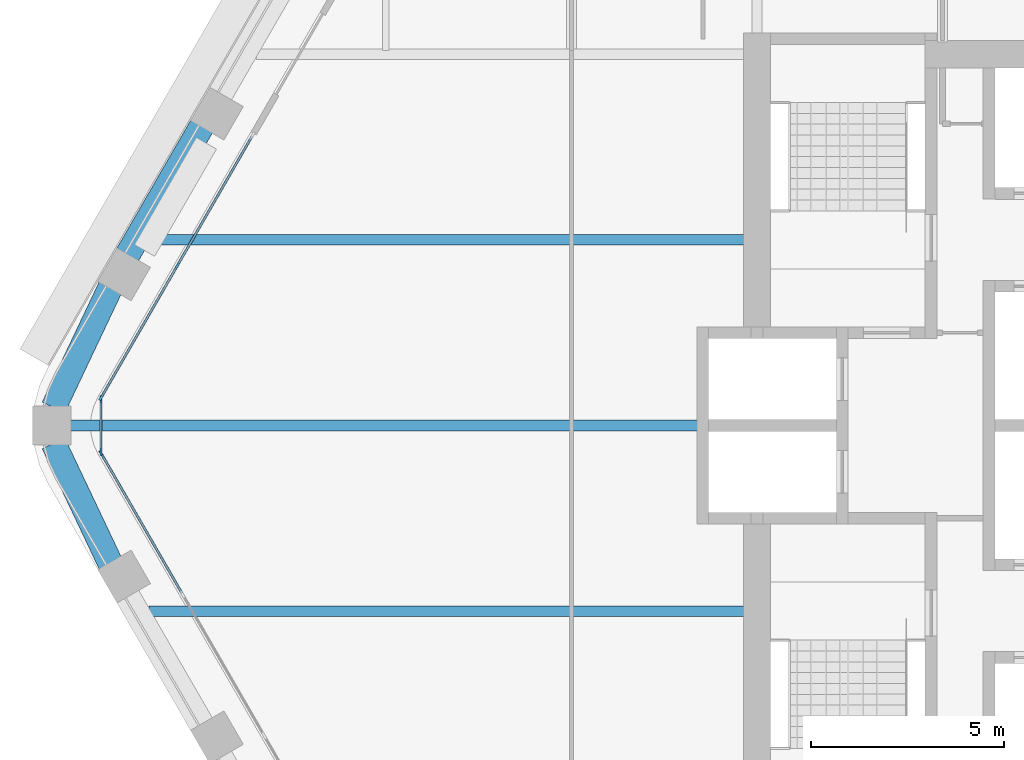
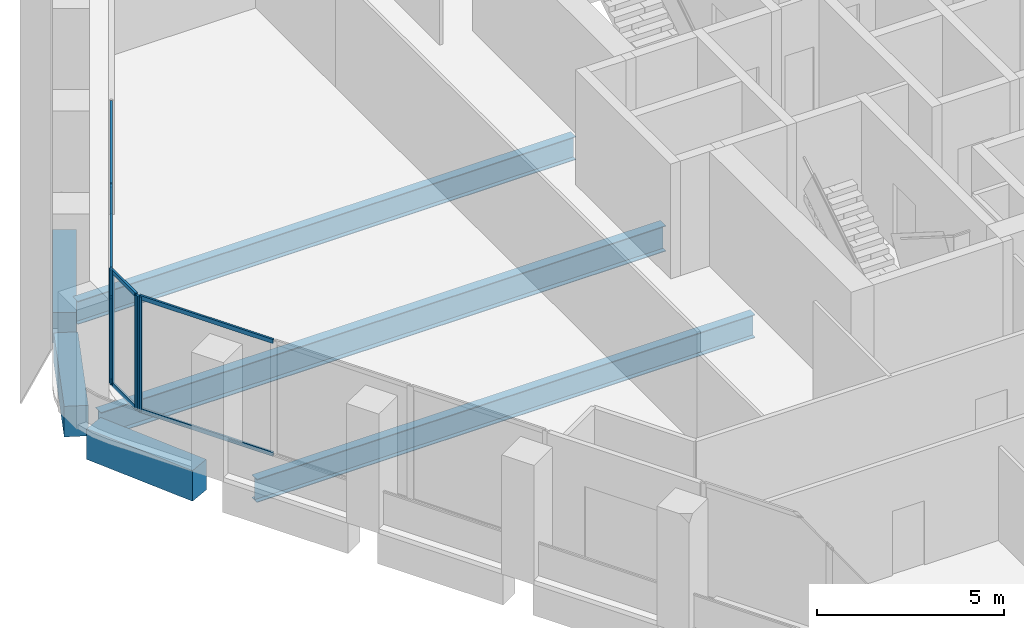
# One storey, part 3 of 15: 13 members, 6 beams, 3 elements without a shape of their own.
"""IFC4 building model written with IfcOpenShell, lengths in metres."""

from ifc_helpers import new_model, si_unit, direction, frame, origin, origin_2d, place, context, subcontext, project, spatial, rectangle, i_section, extrude, material, material_profile, profile_set, type_object, element, aggregate, save


model = new_model("IFC4")

# Units and contexts
model_context = context("Model", 3, precision=1e-05, world=origin(), true_north=direction((0.0, 1.0)))
body_context = subcontext(model_context, "Body", "Model", "MODEL_VIEW")
ifc_project = project(units=[si_unit("LENGTHUNIT", "METRE"), si_unit("AREAUNIT", "SQUARE_METRE"), si_unit("VOLUMEUNIT", "CUBIC_METRE"), si_unit("PLANEANGLEUNIT", "RADIAN"), si_unit("MASSUNIT", "GRAM", prefix="KILO")], contexts=[model_context])

# Site, building, storey
site_placement = place(None, origin())
site = spatial("IfcSite", under=ifc_project, at=site_placement, CompositionType="ELEMENT")
building_placement = place(site_placement, origin())
building = spatial("IfcBuilding", under=site, at=building_placement, Name="Kolab Exchange Tower", CompositionType="ELEMENT")
storey_placement = place(building_placement, frame((0.0, 0.0, 138.800048828125)))
storey = spatial("IfcBuildingStorey", under=building, at=storey_placement, Name="L27", CompositionType="ELEMENT", Elevation=138.800048828125)

# Beams
ifc_material_1 = material(Name="Steel S355", Category="steel")
ifc_material_profile_1 = material_profile(ifc_material_1, i_section(OverallWidth=0.26708984375, OverallDepth=0.761962890625, WebThickness=0.014404296875, FlangeThickness=0.021484375, at=origin_2d()), Name="W760X173")
ifc_profile_set_1 = profile_set([ifc_material_profile_1], Name="Steel S355")
beam_type_1 = type_object("IfcBeamType", Name="FLOOR BEAM W760X173", PredefinedType="BEAM", material=ifc_profile_set_1)
for number, where, z_axis, x_axis, name in (
    (1, (-25.318115234375, -4.800048828125, -0.531005859375), (1.0, 0.0, 0.0), (0.0, 1.0, 0.0), "beam/L27/fr/001"),
    (2, (-25.318115234375, 4.800048828125, -0.531005859375), (1.0, 0.0, 0.0), (0.0, 1.0, 0.0), "beam/L27/fr/002"),
):
    element("IfcBeam", number, at=place(storey_placement, frame(where, z_axis=z_axis, x_axis=x_axis)), inside=storey, type_object=beam_type_1, Name=name, PredefinedType="BEAM", context=body_context, shape_type="SweptSolid", body=[
        extrude(i_section(OverallWidth=0.26708984375, OverallDepth=0.761962890625, WebThickness=0.014404296875, FlangeThickness=0.021484375, at=origin_2d()), origin(), (0.0, 0.0, 1.0), 15.408203125),
    ])
ifc_material_profile_2 = material_profile(ifc_material_1, i_section(OverallWidth=0.2919921875, OverallDepth=0.840087890625, WebThickness=0.0146484375, FlangeThickness=0.021728515625, at=origin_2d()), Name="W840X193")
ifc_profile_set_2 = profile_set([ifc_material_profile_2], Name="Steel S355")
beam_type_2 = type_object("IfcBeamType", Name="FLOOR BEAM W840X193", PredefinedType="BEAM", material=ifc_profile_set_2)
beam_1_placement = place(storey_placement, frame((-27.3759765625, 0.0, -0.570068359375), z_axis=(1.0, 0.0, 0.0), x_axis=(0.0, 1.0, 0.0)))
element("IfcBeam", 3, at=beam_1_placement, inside=storey, type_object=beam_type_2, Name="beam/L27/fr/000", PredefinedType="BEAM", context=body_context, shape_type="SweptSolid", body=[
    extrude(i_section(OverallWidth=0.2919921875, OverallDepth=0.840087890625, WebThickness=0.0146484375, FlangeThickness=0.021728515625, at=origin_2d()), origin(), (0.0, 0.0, 1.0), 17.466064453125),
])
ifc_material_2 = material(Name="Concrete C60/75", Category="concrete")
ifc_material_profile_3 = material_profile(ifc_material_2, rectangle(XDim=0.64990234375, YDim=1.0, at=origin_2d()), Name="RC650X1000")
ifc_profile_set_3 = profile_set([ifc_material_profile_3], Name="Concrete C60/75")
beam_type_3 = type_object("IfcBeamType", Name="SPANDREL BEAM 650X1000 C60/75", PredefinedType="BEAM", material=ifc_profile_set_3)
for number, where, z_axis, x_axis, name in (
    (4, (-26.316162109375, -3.5771484375, -0.650146484375), (-0.428177731975, 0.903694544545, 0.0), (-0.903694544545, -0.428177731975, 0.0), "beam/L27/sp/F5-06"),
    (5, (-27.791259765625, 0.4638671875, -0.650146484375), (0.428177731975, 0.903694544545, 0.0), (-0.903694544545, 0.428177731975, 0.0), "beam/L27/sp/F6-01"),
):
    element("IfcBeam", number, at=place(storey_placement, frame(where, z_axis=z_axis, x_axis=x_axis)), inside=storey, type_object=beam_type_3, Name=name, PredefinedType="BEAM", context=body_context, shape_type="SweptSolid", body=[
        extrude(rectangle(XDim=0.64990234375, YDim=1.0, at=origin_2d()), origin(), (0.0, 0.0, 1.0), 3.445068359375),
    ])
beam_2_placement = place(storey_placement, frame((-25.888427734375, 4.392822265625, -0.650146484375), z_axis=(0.499996613652, 0.866027358884, 0.0), x_axis=(-0.866027358884, 0.499996613652, 0.0)))
element("IfcBeam", 6, at=beam_2_placement, inside=storey, type_object=beam_type_3, Name="beam/L27/sp/F6-02", PredefinedType="BEAM", context=body_context, shape_type="SweptSolid", body=[
    extrude(rectangle(XDim=0.64990234375, YDim=1.0, at=origin_2d()), origin(), (0.0, 0.0, 1.0), 3.8798828125),
])

# Curtain wall, member
ifc_material_3 = material(Name="Aluminium EN AW-6063 T6", Category="aluminium")
curtain_wall_type = type_object("IfcCurtainWallType", Name="UNITISED UPPER MID ZONE CURTAIN WALL", PredefinedType="NOTDEFINED", material=ifc_material_3)
curtain_wall_1_placement = place(storey_placement, origin())
curtain_wall_1 = element("IfcCurtainWall", 7, at=curtain_wall_1_placement, inside=storey, type_object=curtain_wall_type, Name="cw/L27/F5-2", PredefinedType="NOTDEFINED")
ifc_material_profile_4 = material_profile(ifc_material_3, rectangle(XDim=0.06005859375, YDim=0.199951171875, at=origin_2d()), Name="RECT 60X200")
ifc_profile_set_4 = profile_set([ifc_material_profile_4], Name="Aluminium EN AW-6063 T6")
member_type_1 = type_object("IfcMemberType", Name="UNITISED UPPER MID ZONE MULLION 60 X 200", PredefinedType="MULLION", material=ifc_profile_set_4)
member_1_placement = place(storey_placement, frame((-26.550537109375, -0.736083984375, 0.0), z_axis=(0.0, 0.0, 1.0), x_axis=(-0.866025427826, -0.499999958358, 0.0)))
member_1 = element("IfcMember", 8, at=member_1_placement, type_object=member_type_1, Name="CW3 mullion 4", PredefinedType="MULLION", context=body_context, shape_type="SweptSolid", body=[
    extrude(rectangle(XDim=0.06005859375, YDim=0.199951171875, at=origin_2d()), origin(), (0.0, 0.0, 1.0), 3.75),
])

# Curtain wall, members
curtain_wall_2_placement = place(storey_placement, origin())
curtain_wall_2 = element("IfcCurtainWall", 9, at=curtain_wall_2_placement, inside=storey, type_object=curtain_wall_type, Name="cw/L27/F6-1", PredefinedType="NOTDEFINED")
member_2_placement = place(storey_placement, frame((-26.550537109375, 0.736083984375, 0.0), z_axis=(0.0, 0.0, 1.0), x_axis=(-0.866025440524, 0.499999936366, 0.0)))
member_2 = element("IfcMember", 10, at=member_2_placement, type_object=member_type_1, Name="CW3 mullion 1", PredefinedType="MULLION", context=body_context, shape_type="SweptSolid", body=[
    extrude(rectangle(XDim=0.06005859375, YDim=0.199951171875, at=origin_2d()), origin(), (0.0, 0.0, 1.0), 3.75),
])
member_3_placement = place(storey_placement, frame((-24.5986328125, 4.116943359375, 0.0), z_axis=(0.0, 0.0, 1.0), x_axis=(-0.866025440524, 0.499999936366, 0.0)))
member_3 = element("IfcMember", 11, at=member_3_placement, type_object=member_type_1, Name="CW3 mullion 2", PredefinedType="MULLION", context=body_context, shape_type="SweptSolid", body=[
    extrude(rectangle(XDim=0.06005859375, YDim=0.199951171875, at=origin_2d()), origin(), (0.0, 0.0, 1.0), 3.75),
])

curtain_wall_3_placement = place(storey_placement, origin())
curtain_wall_3 = element("IfcCurtainWall", 12, at=curtain_wall_3_placement, inside=storey, type_object=curtain_wall_type, Name="cw/L27/F5F6-corner", PredefinedType="NOTDEFINED")
member_4_placement = place(storey_placement, frame((-26.565673828125, -0.679931640625, 0.0), z_axis=(0.0, 0.0, 1.0), x_axis=(-1.0, 0.0, 0.0)))
member_4 = element("IfcMember", 13, at=member_4_placement, type_object=member_type_1, Name="CW3 mullion 1", PredefinedType="MULLION", context=body_context, shape_type="SweptSolid", body=[
    extrude(rectangle(XDim=0.06005859375, YDim=0.199951171875, at=origin_2d()), origin(), (0.0, 0.0, 1.0), 3.75),
])
member_5_placement = place(storey_placement, frame((-26.565673828125, 0.679931640625, 0.0), z_axis=(0.0, 0.0, 1.0), x_axis=(-1.0, 0.0, 0.0)))
member_5 = element("IfcMember", 14, at=member_5_placement, type_object=member_type_1, Name="CW3 mullion 2", PredefinedType="MULLION", context=body_context, shape_type="SweptSolid", body=[
    extrude(rectangle(XDim=0.06005859375, YDim=0.199951171875, at=origin_2d()), origin(), (0.0, 0.0, 1.0), 3.75),
])

# Member
ifc_material_profile_5 = material_profile(ifc_material_3, rectangle(XDim=0.06005859375, YDim=0.139892578125, at=origin_2d()), Name="RECT 60X140")
ifc_profile_set_5 = profile_set([ifc_material_profile_5], Name="Aluminium EN AW-6063 T6")
member_type_2 = type_object("IfcMemberType", Name="UNITISED UPPER MID ZONE TRANSOM 60 X 140", PredefinedType="USERDEFINED", material=ifc_profile_set_5)
member_6_placement = place(storey_placement, frame((-24.46923828125, -4.3408203125, 0.030029296875), z_axis=(-0.500027577057, 0.866009481578, 0.0), x_axis=(-0.866009481578, -0.500027577057, 0.0)))
member_6 = element("IfcMember", 15, at=member_6_placement, type_object=member_type_2, Name="CW3 transom 3.1", ObjectType="TRANSOM", PredefinedType="USERDEFINED", context=body_context, shape_type="SweptSolid", body=[
    extrude(rectangle(XDim=0.06005859375, YDim=0.139892578125, at=origin_2d()), origin(), (0.0, 0.0, 1.0), 4.132568359375),
])

member_7_placement = place(storey_placement, frame((-24.46923828125, -4.3408203125, 3.719970703125), z_axis=(-0.500027577057, 0.866009481578, 0.0), x_axis=(-0.866009481578, -0.500027577057, 0.0)))
member_7 = element("IfcMember", 16, at=member_7_placement, type_object=member_type_2, Name="CW3 transom 3.2", ObjectType="TRANSOM", PredefinedType="USERDEFINED", context=body_context, shape_type="SweptSolid", body=[
    extrude(rectangle(XDim=0.06005859375, YDim=0.139892578125, at=origin_2d()), origin(), (0.0, 0.0, 1.0), 4.132568359375),
])

aggregate(curtain_wall_1, [member_1, member_6, member_7])

member_8_placement = place(storey_placement, frame((-26.53564453125, 0.761962890625, 0.030029296875), z_axis=(0.499991857942, 0.866030104553, 0.0), x_axis=(-0.866030104553, 0.499991857942, 0.0)))
member_8 = element("IfcMember", 17, at=member_8_placement, type_object=member_type_2, Name="CW3 transom 1.1", ObjectType="TRANSOM", PredefinedType="USERDEFINED", context=body_context, shape_type="SweptSolid", body=[
    extrude(rectangle(XDim=0.06005859375, YDim=0.139892578125, at=origin_2d()), origin(), (0.0, 0.0, 1.0), 3.84375),
])

member_9_placement = place(storey_placement, frame((-26.53564453125, 0.761962890625, 3.719970703125), z_axis=(0.499991857942, 0.866030104553, 0.0), x_axis=(-0.866030104553, 0.499991857942, 0.0)))
member_9 = element("IfcMember", 18, at=member_9_placement, type_object=member_type_2, Name="CW3 transom 1.2", ObjectType="TRANSOM", PredefinedType="USERDEFINED", context=body_context, shape_type="SweptSolid", body=[
    extrude(rectangle(XDim=0.06005859375, YDim=0.139892578125, at=origin_2d()), origin(), (0.0, 0.0, 1.0), 3.84375),
])

member_10_placement = place(storey_placement, frame((-24.583740234375, 4.142822265625, 0.030029296875), z_axis=(0.500011990396, 0.866018481016, 0.0), x_axis=(-0.866018481016, 0.500011990396, 0.0)))
member_10 = element("IfcMember", 19, at=member_10_placement, type_object=member_type_2, Name="CW3 transom 2.1", ObjectType="TRANSOM", PredefinedType="USERDEFINED", context=body_context, shape_type="SweptSolid", body=[
    extrude(rectangle(XDim=0.06005859375, YDim=0.139892578125, at=origin_2d()), origin(), (0.0, 0.0, 1.0), 3.84423828125),
])

member_11_placement = place(storey_placement, frame((-24.583740234375, 4.142822265625, 3.719970703125), z_axis=(0.500011990396, 0.866018481016, 0.0), x_axis=(-0.866018481016, 0.500011990396, 0.0)))
member_11 = element("IfcMember", 20, at=member_11_placement, type_object=member_type_2, Name="CW3 transom 2.2", ObjectType="TRANSOM", PredefinedType="USERDEFINED", context=body_context, shape_type="SweptSolid", body=[
    extrude(rectangle(XDim=0.06005859375, YDim=0.139892578125, at=origin_2d()), origin(), (0.0, 0.0, 1.0), 3.84423828125),
])

aggregate(curtain_wall_2, [member_2, member_3, member_8, member_9, member_10, member_11])

member_12_placement = place(storey_placement, frame((-26.565673828125, -0.64990234375, 0.030029296875), z_axis=(0.0, 1.0, 0.0), x_axis=(-1.0, 0.0, 0.0)))
member_12 = element("IfcMember", 21, at=member_12_placement, type_object=member_type_2, Name="CW3 transom 1.1", ObjectType="TRANSOM", PredefinedType="USERDEFINED", context=body_context, shape_type="SweptSolid", body=[
    extrude(rectangle(XDim=0.06005859375, YDim=0.139892578125, at=origin_2d()), origin(), (0.0, 0.0, 1.0), 1.2998046875),
])

member_13_placement = place(storey_placement, frame((-26.565673828125, -0.64990234375, 3.719970703125), z_axis=(0.0, 1.0, 0.0), x_axis=(-1.0, 0.0, 0.0)))
member_13 = element("IfcMember", 22, at=member_13_placement, type_object=member_type_2, Name="CW3 transom 1.2", ObjectType="TRANSOM", PredefinedType="USERDEFINED", context=body_context, shape_type="SweptSolid", body=[
    extrude(rectangle(XDim=0.06005859375, YDim=0.139892578125, at=origin_2d()), origin(), (0.0, 0.0, 1.0), 1.2998046875),
])

aggregate(curtain_wall_3, [member_4, member_5, member_12, member_13])

save(model, "model.ifc")
